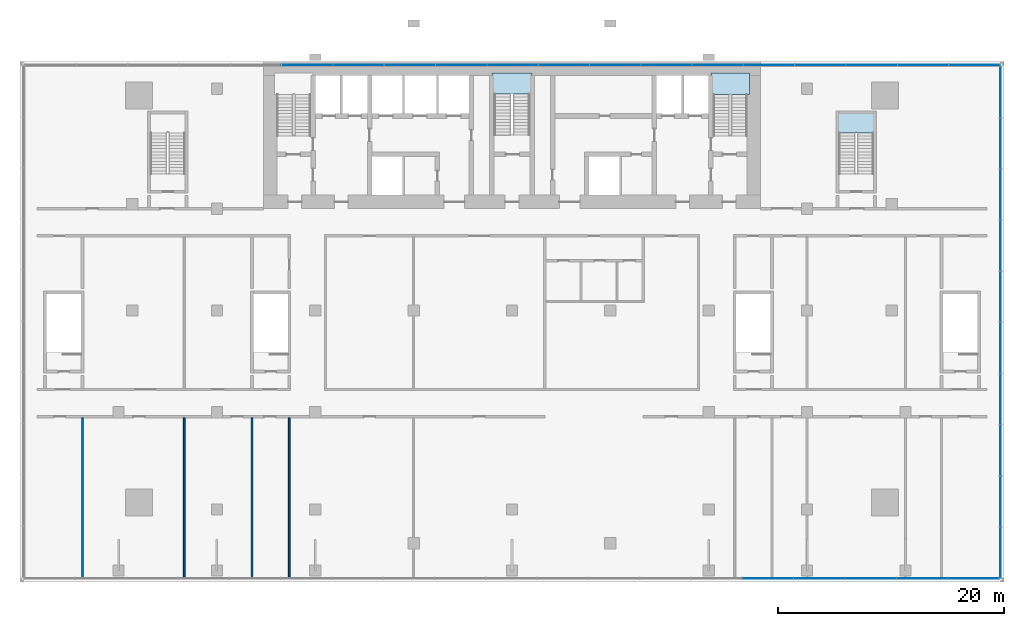
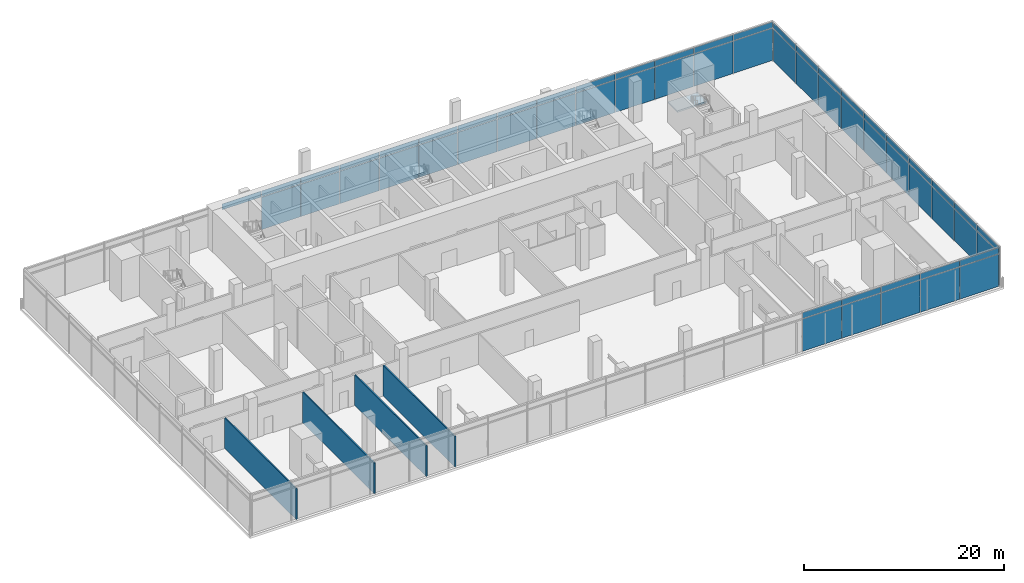
# One storey, part 10 of 17: 57 plates, 4 walls, 3 slabs, 6 elements without a shape of their own.
"""IFC4 building model written with IfcOpenShell, lengths in metres."""

from ifc_helpers import new_model, si_unit, direction, frame, frame_2d, origin, origin_2d, place, context, subcontext, project, spatial, polyline, rectangle, outline, extrude, material, layer, layer_set, type_object, element, aggregate, save


model = new_model("IFC4")

# Units and contexts
model_context = context("Model", 3, precision=1e-05, world=origin(), true_north=direction((0.0, 1.0)))
body_context = subcontext(model_context, "Body", "Model", "MODEL_VIEW")
ifc_project = project(units=[si_unit("LENGTHUNIT", "METRE"), si_unit("AREAUNIT", "SQUARE_METRE"), si_unit("VOLUMEUNIT", "CUBIC_METRE"), si_unit("PLANEANGLEUNIT", "RADIAN"), si_unit("MASSUNIT", "GRAM", prefix="KILO")], contexts=[model_context])

# Site, building, storey
site_placement = place(None, origin())
site = spatial("IfcSite", under=ifc_project, at=site_placement, CompositionType="ELEMENT")
building_placement = place(site_placement, origin())
building = spatial("IfcBuilding", under=site, at=building_placement, Name="Bicima Exchange Tower", CompositionType="ELEMENT")
storey_placement = place(building_placement, frame((0.0, 0.0, 30.0)))
storey = spatial("IfcBuildingStorey", under=building, at=storey_placement, Name="L05", CompositionType="ELEMENT", Elevation=30.0)

# Curtain wall, plates
ifc_material_1 = material(Name="Anodised bronze aluminium", Category="aluminium")
curtain_wall_type = type_object("IfcCurtainWallType", Name="Lobby glazing", PredefinedType="NOTDEFINED", material=ifc_material_1)
curtain_wall_1_placement = place(storey_placement, origin())
curtain_wall_1 = element("IfcCurtainWall", 1, at=curtain_wall_1_placement, inside=storey, type_object=curtain_wall_type, Name="Podium glazing L05 south 1", PredefinedType="NOTDEFINED")
ifc_material_2 = material(Name="Clear low-iron glass", Category="glass")
ifc_layer_1 = layer(ifc_material_2, 0.035888671875)
ifc_layer_set_1 = layer_set([ifc_layer_1], Name="Clear low-iron glass")
plate_type = type_object("IfcPlateType", Name="Lobby glazing glass panel 36", PredefinedType="CURTAIN_PANEL", material=ifc_layer_set_1)
plate_1_placement = place(storey_placement, frame((22.644775390625, -45.699951171875, 0.0), z_axis=(0.0, 0.0, 1.0), x_axis=(1.0, 0.0, 0.0)))
plate_1 = element("IfcPlate", 2, at=plate_1_placement, type_object=plate_type, Name="Lobby glazing panel 15.1", PredefinedType="CURTAIN_PANEL", context=body_context, shape_type="SweptSolid", body=[
    extrude(rectangle(XDim=4.47900390625, YDim=0.035888671875, at=origin_2d()), origin(), (0.0, 0.0, 1.0), 3.929931640625),
])
plate_2_placement = place(storey_placement, frame((22.644775390625, -45.699951171875, 4.0), z_axis=(0.0, 0.0, 1.0), x_axis=(1.0, 0.0, 0.0)))
plate_2 = element("IfcPlate", 3, at=plate_2_placement, type_object=plate_type, Name="Lobby glazing panel 15.2", PredefinedType="CURTAIN_PANEL", context=body_context, shape_type="SweptSolid", body=[
    extrude(rectangle(XDim=4.47900390625, YDim=0.035888671875, at=origin_2d()), origin(), (0.0, 0.0, 1.0), 0.7099609375),
])
plate_3_placement = place(storey_placement, frame((27.18359375, -45.699951171875, 0.0), z_axis=(0.0, 0.0, 1.0), x_axis=(1.0, 0.0, 0.0)))
plate_3 = element("IfcPlate", 4, at=plate_3_placement, type_object=plate_type, Name="Lobby glazing panel 16.1", PredefinedType="CURTAIN_PANEL", context=body_context, shape_type="SweptSolid", body=[
    extrude(rectangle(XDim=4.47900390625, YDim=0.035888671875, at=origin_2d()), origin(), (0.0, 0.0, 1.0), 3.929931640625),
])
plate_4_placement = place(storey_placement, frame((27.18359375, -45.699951171875, 4.0), z_axis=(0.0, 0.0, 1.0), x_axis=(1.0, 0.0, 0.0)))
plate_4 = element("IfcPlate", 5, at=plate_4_placement, type_object=plate_type, Name="Lobby glazing panel 16.2", PredefinedType="CURTAIN_PANEL", context=body_context, shape_type="SweptSolid", body=[
    extrude(rectangle(XDim=4.47900390625, YDim=0.035888671875, at=origin_2d()), origin(), (0.0, 0.0, 1.0), 0.7099609375),
])
plate_5_placement = place(storey_placement, frame((31.72265625, -45.699951171875, 0.0), z_axis=(0.0, 0.0, 1.0), x_axis=(1.0, 0.0, 0.0)))
plate_5 = element("IfcPlate", 6, at=plate_5_placement, type_object=plate_type, Name="Lobby glazing panel 17.1", PredefinedType="CURTAIN_PANEL", context=body_context, shape_type="SweptSolid", body=[
    extrude(rectangle(XDim=4.47900390625, YDim=0.035888671875, at=origin_2d()), origin(), (0.0, 0.0, 1.0), 3.929931640625),
])
plate_6_placement = place(storey_placement, frame((31.72265625, -45.699951171875, 4.0), z_axis=(0.0, 0.0, 1.0), x_axis=(1.0, 0.0, 0.0)))
plate_6 = element("IfcPlate", 7, at=plate_6_placement, type_object=plate_type, Name="Lobby glazing panel 17.2", PredefinedType="CURTAIN_PANEL", context=body_context, shape_type="SweptSolid", body=[
    extrude(rectangle(XDim=4.47900390625, YDim=0.035888671875, at=origin_2d()), origin(), (0.0, 0.0, 1.0), 0.7099609375),
])
plate_7_placement = place(storey_placement, frame((36.26171875, -45.699951171875, 0.0), z_axis=(0.0, 0.0, 1.0), x_axis=(1.0, 0.0, 0.0)))
plate_7 = element("IfcPlate", 8, at=plate_7_placement, type_object=plate_type, Name="Lobby glazing panel 18.1", PredefinedType="CURTAIN_PANEL", context=body_context, shape_type="SweptSolid", body=[
    extrude(rectangle(XDim=4.47900390625, YDim=0.035888671875, at=origin_2d()), origin(), (0.0, 0.0, 1.0), 3.929931640625),
])
plate_8_placement = place(storey_placement, frame((36.26171875, -45.699951171875, 4.0), z_axis=(0.0, 0.0, 1.0), x_axis=(1.0, 0.0, 0.0)))
plate_8 = element("IfcPlate", 9, at=plate_8_placement, type_object=plate_type, Name="Lobby glazing panel 18.2", PredefinedType="CURTAIN_PANEL", context=body_context, shape_type="SweptSolid", body=[
    extrude(rectangle(XDim=4.47900390625, YDim=0.035888671875, at=origin_2d()), origin(), (0.0, 0.0, 1.0), 0.7099609375),
])
plate_9_placement = place(storey_placement, frame((40.800537109375, -45.699951171875, 0.0), z_axis=(0.0, 0.0, 1.0), x_axis=(1.0, 0.0, 0.0)))
plate_9 = element("IfcPlate", 10, at=plate_9_placement, type_object=plate_type, Name="Lobby glazing panel 19.1", PredefinedType="CURTAIN_PANEL", context=body_context, shape_type="SweptSolid", body=[
    extrude(rectangle(XDim=4.47900390625, YDim=0.035888671875, at=origin_2d()), origin(), (0.0, 0.0, 1.0), 3.929931640625),
])
plate_10_placement = place(storey_placement, frame((40.800537109375, -45.699951171875, 4.0), z_axis=(0.0, 0.0, 1.0), x_axis=(1.0, 0.0, 0.0)))
plate_10 = element("IfcPlate", 11, at=plate_10_placement, type_object=plate_type, Name="Lobby glazing panel 19.2", PredefinedType="CURTAIN_PANEL", context=body_context, shape_type="SweptSolid", body=[
    extrude(rectangle(XDim=4.47900390625, YDim=0.035888671875, at=origin_2d()), origin(), (0.0, 0.0, 1.0), 0.7099609375),
])
aggregate(curtain_wall_1, [plate_1, plate_2, plate_3, plate_4, plate_5, plate_6, plate_7, plate_8, plate_9, plate_10])

curtain_wall_2_placement = place(storey_placement, origin())
curtain_wall_2 = element("IfcCurtainWall", 12, at=curtain_wall_2_placement, inside=storey, type_object=curtain_wall_type, Name="Podium glazing L05 east 1", PredefinedType="NOTDEFINED")
plate_11_placement = place(storey_placement, frame((43.199951171875, -43.407958984375, 0.0), z_axis=(0.0, 0.0, 1.0), x_axis=(0.0, 1.0, 0.0)))
plate_11 = element("IfcPlate", 13, at=plate_11_placement, type_object=plate_type, Name="Lobby glazing panel 1.1", PredefinedType="CURTAIN_PANEL", context=body_context, shape_type="SweptSolid", body=[
    extrude(rectangle(XDim=4.464111328125, YDim=0.035888671875, at=origin_2d()), origin(), (0.0, 0.0, 1.0), 3.929931640625),
])
plate_12_placement = place(storey_placement, frame((43.199951171875, -43.407958984375, 4.0), z_axis=(0.0, 0.0, 1.0), x_axis=(0.0, 1.0, 0.0)))
plate_12 = element("IfcPlate", 14, at=plate_12_placement, type_object=plate_type, Name="Lobby glazing panel 1.2", PredefinedType="CURTAIN_PANEL", context=body_context, shape_type="SweptSolid", body=[
    extrude(rectangle(XDim=4.464111328125, YDim=0.035888671875, at=origin_2d()), origin(), (0.0, 0.0, 1.0), 0.7099609375),
])
plate_13_placement = place(storey_placement, frame((43.199951171875, -38.884033203125, 0.0), z_axis=(0.0, 0.0, 1.0), x_axis=(0.0, 1.0, 0.0)))
plate_13 = element("IfcPlate", 15, at=plate_13_placement, type_object=plate_type, Name="Lobby glazing panel 2.1", PredefinedType="CURTAIN_PANEL", context=body_context, shape_type="SweptSolid", body=[
    extrude(rectangle(XDim=4.464111328125, YDim=0.035888671875, at=origin_2d()), origin(), (0.0, 0.0, 1.0), 3.929931640625),
])
plate_14_placement = place(storey_placement, frame((43.199951171875, -38.884033203125, 4.0), z_axis=(0.0, 0.0, 1.0), x_axis=(0.0, 1.0, 0.0)))
plate_14 = element("IfcPlate", 16, at=plate_14_placement, type_object=plate_type, Name="Lobby glazing panel 2.2", PredefinedType="CURTAIN_PANEL", context=body_context, shape_type="SweptSolid", body=[
    extrude(rectangle(XDim=4.464111328125, YDim=0.035888671875, at=origin_2d()), origin(), (0.0, 0.0, 1.0), 0.7099609375),
])
plate_15_placement = place(storey_placement, frame((43.199951171875, -34.360107421875, 0.0), z_axis=(0.0, 0.0, 1.0), x_axis=(0.0, 1.0, 0.0)))
plate_15 = element("IfcPlate", 17, at=plate_15_placement, type_object=plate_type, Name="Lobby glazing panel 3.1", PredefinedType="CURTAIN_PANEL", context=body_context, shape_type="SweptSolid", body=[
    extrude(rectangle(XDim=4.464111328125, YDim=0.035888671875, at=origin_2d()), origin(), (0.0, 0.0, 1.0), 3.929931640625),
])
plate_16_placement = place(storey_placement, frame((43.199951171875, -34.360107421875, 4.0), z_axis=(0.0, 0.0, 1.0), x_axis=(0.0, 1.0, 0.0)))
plate_16 = element("IfcPlate", 18, at=plate_16_placement, type_object=plate_type, Name="Lobby glazing panel 3.2", PredefinedType="CURTAIN_PANEL", context=body_context, shape_type="SweptSolid", body=[
    extrude(rectangle(XDim=4.464111328125, YDim=0.035888671875, at=origin_2d()), origin(), (0.0, 0.0, 1.0), 0.7099609375),
])
plate_17_placement = place(storey_placement, frame((43.199951171875, -29.8359375, 0.0), z_axis=(0.0, 0.0, 1.0), x_axis=(0.0, 1.0, 0.0)))
plate_17 = element("IfcPlate", 19, at=plate_17_placement, type_object=plate_type, Name="Lobby glazing panel 4.1", PredefinedType="CURTAIN_PANEL", context=body_context, shape_type="SweptSolid", body=[
    extrude(rectangle(XDim=4.464111328125, YDim=0.035888671875, at=origin_2d()), origin(), (0.0, 0.0, 1.0), 3.929931640625),
])
plate_18_placement = place(storey_placement, frame((43.199951171875, -29.8359375, 4.0), z_axis=(0.0, 0.0, 1.0), x_axis=(0.0, 1.0, 0.0)))
plate_18 = element("IfcPlate", 20, at=plate_18_placement, type_object=plate_type, Name="Lobby glazing panel 4.2", PredefinedType="CURTAIN_PANEL", context=body_context, shape_type="SweptSolid", body=[
    extrude(rectangle(XDim=4.464111328125, YDim=0.035888671875, at=origin_2d()), origin(), (0.0, 0.0, 1.0), 0.7099609375),
])
plate_19_placement = place(storey_placement, frame((43.199951171875, -25.31201171875, 0.0), z_axis=(0.0, 0.0, 1.0), x_axis=(0.0, 1.0, 0.0)))
plate_19 = element("IfcPlate", 21, at=plate_19_placement, type_object=plate_type, Name="Lobby glazing panel 5.1", PredefinedType="CURTAIN_PANEL", context=body_context, shape_type="SweptSolid", body=[
    extrude(rectangle(XDim=4.464111328125, YDim=0.035888671875, at=origin_2d()), origin(), (0.0, 0.0, 1.0), 3.929931640625),
])
plate_20_placement = place(storey_placement, frame((43.199951171875, -25.31201171875, 4.0), z_axis=(0.0, 0.0, 1.0), x_axis=(0.0, 1.0, 0.0)))
plate_20 = element("IfcPlate", 22, at=plate_20_placement, type_object=plate_type, Name="Lobby glazing panel 5.2", PredefinedType="CURTAIN_PANEL", context=body_context, shape_type="SweptSolid", body=[
    extrude(rectangle(XDim=4.464111328125, YDim=0.035888671875, at=origin_2d()), origin(), (0.0, 0.0, 1.0), 0.7099609375),
])
plate_21_placement = place(storey_placement, frame((43.199951171875, -20.7880859375, 0.0), z_axis=(0.0, 0.0, 1.0), x_axis=(0.0, 1.0, 0.0)))
plate_21 = element("IfcPlate", 23, at=plate_21_placement, type_object=plate_type, Name="Lobby glazing panel 6.1", PredefinedType="CURTAIN_PANEL", context=body_context, shape_type="SweptSolid", body=[
    extrude(rectangle(XDim=4.464111328125, YDim=0.035888671875, at=origin_2d()), origin(), (0.0, 0.0, 1.0), 3.929931640625),
])
plate_22_placement = place(storey_placement, frame((43.199951171875, -20.7880859375, 4.0), z_axis=(0.0, 0.0, 1.0), x_axis=(0.0, 1.0, 0.0)))
plate_22 = element("IfcPlate", 24, at=plate_22_placement, type_object=plate_type, Name="Lobby glazing panel 6.2", PredefinedType="CURTAIN_PANEL", context=body_context, shape_type="SweptSolid", body=[
    extrude(rectangle(XDim=4.464111328125, YDim=0.035888671875, at=origin_2d()), origin(), (0.0, 0.0, 1.0), 0.7099609375),
])
plate_23_placement = place(storey_placement, frame((43.199951171875, -16.263916015625, 0.0), z_axis=(0.0, 0.0, 1.0), x_axis=(0.0, 1.0, 0.0)))
plate_23 = element("IfcPlate", 25, at=plate_23_placement, type_object=plate_type, Name="Lobby glazing panel 7.1", PredefinedType="CURTAIN_PANEL", context=body_context, shape_type="SweptSolid", body=[
    extrude(rectangle(XDim=4.464111328125, YDim=0.035888671875, at=origin_2d()), origin(), (0.0, 0.0, 1.0), 3.929931640625),
])
plate_24_placement = place(storey_placement, frame((43.199951171875, -16.263916015625, 4.0), z_axis=(0.0, 0.0, 1.0), x_axis=(0.0, 1.0, 0.0)))
plate_24 = element("IfcPlate", 26, at=plate_24_placement, type_object=plate_type, Name="Lobby glazing panel 7.2", PredefinedType="CURTAIN_PANEL", context=body_context, shape_type="SweptSolid", body=[
    extrude(rectangle(XDim=4.464111328125, YDim=0.035888671875, at=origin_2d()), origin(), (0.0, 0.0, 1.0), 0.7099609375),
])
plate_25_placement = place(storey_placement, frame((43.199951171875, -11.739990234375, 0.0), z_axis=(0.0, 0.0, 1.0), x_axis=(0.0, 1.0, 0.0)))
plate_25 = element("IfcPlate", 27, at=plate_25_placement, type_object=plate_type, Name="Lobby glazing panel 8.1", PredefinedType="CURTAIN_PANEL", context=body_context, shape_type="SweptSolid", body=[
    extrude(rectangle(XDim=4.464111328125, YDim=0.035888671875, at=origin_2d()), origin(), (0.0, 0.0, 1.0), 3.929931640625),
])
plate_26_placement = place(storey_placement, frame((43.199951171875, -11.739990234375, 4.0), z_axis=(0.0, 0.0, 1.0), x_axis=(0.0, 1.0, 0.0)))
plate_26 = element("IfcPlate", 28, at=plate_26_placement, type_object=plate_type, Name="Lobby glazing panel 8.2", PredefinedType="CURTAIN_PANEL", context=body_context, shape_type="SweptSolid", body=[
    extrude(rectangle(XDim=4.464111328125, YDim=0.035888671875, at=origin_2d()), origin(), (0.0, 0.0, 1.0), 0.7099609375),
])
plate_27_placement = place(storey_placement, frame((43.199951171875, -7.216064453125, 0.0), z_axis=(0.0, 0.0, 1.0), x_axis=(0.0, 1.0, 0.0)))
plate_27 = element("IfcPlate", 29, at=plate_27_placement, type_object=plate_type, Name="Lobby glazing panel 9.1", PredefinedType="CURTAIN_PANEL", context=body_context, shape_type="SweptSolid", body=[
    extrude(rectangle(XDim=4.464111328125, YDim=0.035888671875, at=origin_2d()), origin(), (0.0, 0.0, 1.0), 3.929931640625),
])
plate_28_placement = place(storey_placement, frame((43.199951171875, -7.216064453125, 4.0), z_axis=(0.0, 0.0, 1.0), x_axis=(0.0, 1.0, 0.0)))
plate_28 = element("IfcPlate", 30, at=plate_28_placement, type_object=plate_type, Name="Lobby glazing panel 9.2", PredefinedType="CURTAIN_PANEL", context=body_context, shape_type="SweptSolid", body=[
    extrude(rectangle(XDim=4.464111328125, YDim=0.035888671875, at=origin_2d()), origin(), (0.0, 0.0, 1.0), 0.7099609375),
])
plate_29_placement = place(storey_placement, frame((43.199951171875, -2.69189453125, 0.0), z_axis=(0.0, 0.0, 1.0), x_axis=(0.0, 1.0, 0.0)))
plate_29 = element("IfcPlate", 31, at=plate_29_placement, type_object=plate_type, Name="Lobby glazing panel 10.1", PredefinedType="CURTAIN_PANEL", context=body_context, shape_type="SweptSolid", body=[
    extrude(rectangle(XDim=4.464111328125, YDim=0.035888671875, at=origin_2d()), origin(), (0.0, 0.0, 1.0), 3.929931640625),
])
plate_30_placement = place(storey_placement, frame((43.199951171875, -2.69189453125, 4.0), z_axis=(0.0, 0.0, 1.0), x_axis=(0.0, 1.0, 0.0)))
plate_30 = element("IfcPlate", 32, at=plate_30_placement, type_object=plate_type, Name="Lobby glazing panel 10.2", PredefinedType="CURTAIN_PANEL", context=body_context, shape_type="SweptSolid", body=[
    extrude(rectangle(XDim=4.464111328125, YDim=0.035888671875, at=origin_2d()), origin(), (0.0, 0.0, 1.0), 0.7099609375),
])
aggregate(curtain_wall_2, [plate_11, plate_12, plate_13, plate_14, plate_15, plate_16, plate_17, plate_18, plate_19, plate_20, plate_21, plate_22, plate_23, plate_24, plate_25, plate_26, plate_27, plate_28, plate_29, plate_30])

curtain_wall_3_placement = place(storey_placement, origin())
curtain_wall_3 = element("IfcCurtainWall", 33, at=curtain_wall_3_placement, inside=storey, type_object=curtain_wall_type, Name="Podium glazing L05 north 1", PredefinedType="NOTDEFINED")
plate_31_placement = place(storey_placement, frame((40.900390625, -0.300048828125, 0.0), z_axis=(0.0, 0.0, 1.0), x_axis=(-1.0, 0.0, 0.0)))
plate_31 = element("IfcPlate", 34, at=plate_31_placement, type_object=plate_type, Name="Lobby glazing panel 1.1", PredefinedType="CURTAIN_PANEL", context=body_context, shape_type="SweptSolid", body=[
    extrude(rectangle(XDim=4.47900390625, YDim=0.035888671875, at=origin_2d()), origin(), (0.0, 0.0, 1.0), 3.929931640625),
])
plate_32_placement = place(storey_placement, frame((40.900390625, -0.300048828125, 4.0), z_axis=(0.0, 0.0, 1.0), x_axis=(-1.0, 0.0, 0.0)))
plate_32 = element("IfcPlate", 35, at=plate_32_placement, type_object=plate_type, Name="Lobby glazing panel 1.2", PredefinedType="CURTAIN_PANEL", context=body_context, shape_type="SweptSolid", body=[
    extrude(rectangle(XDim=4.47900390625, YDim=0.035888671875, at=origin_2d()), origin(), (0.0, 0.0, 1.0), 0.7099609375),
])
plate_33_placement = place(storey_placement, frame((36.361572265625, -0.300048828125, 0.0), z_axis=(0.0, 0.0, 1.0), x_axis=(-1.0, 0.0, 0.0)))
plate_33 = element("IfcPlate", 36, at=plate_33_placement, type_object=plate_type, Name="Lobby glazing panel 2.1", PredefinedType="CURTAIN_PANEL", context=body_context, shape_type="SweptSolid", body=[
    extrude(rectangle(XDim=4.47900390625, YDim=0.035888671875, at=origin_2d()), origin(), (0.0, 0.0, 1.0), 3.929931640625),
])
plate_34_placement = place(storey_placement, frame((36.361572265625, -0.300048828125, 4.0), z_axis=(0.0, 0.0, 1.0), x_axis=(-1.0, 0.0, 0.0)))
plate_34 = element("IfcPlate", 37, at=plate_34_placement, type_object=plate_type, Name="Lobby glazing panel 2.2", PredefinedType="CURTAIN_PANEL", context=body_context, shape_type="SweptSolid", body=[
    extrude(rectangle(XDim=4.47900390625, YDim=0.035888671875, at=origin_2d()), origin(), (0.0, 0.0, 1.0), 0.7099609375),
])
plate_35_placement = place(storey_placement, frame((31.822509765625, -0.300048828125, 0.0), z_axis=(0.0, 0.0, 1.0), x_axis=(-1.0, 0.0, 0.0)))
plate_35 = element("IfcPlate", 38, at=plate_35_placement, type_object=plate_type, Name="Lobby glazing panel 3.1", PredefinedType="CURTAIN_PANEL", context=body_context, shape_type="SweptSolid", body=[
    extrude(rectangle(XDim=4.47900390625, YDim=0.035888671875, at=origin_2d()), origin(), (0.0, 0.0, 1.0), 3.929931640625),
])
plate_36_placement = place(storey_placement, frame((31.822509765625, -0.300048828125, 4.0), z_axis=(0.0, 0.0, 1.0), x_axis=(-1.0, 0.0, 0.0)))
plate_36 = element("IfcPlate", 39, at=plate_36_placement, type_object=plate_type, Name="Lobby glazing panel 3.2", PredefinedType="CURTAIN_PANEL", context=body_context, shape_type="SweptSolid", body=[
    extrude(rectangle(XDim=4.47900390625, YDim=0.035888671875, at=origin_2d()), origin(), (0.0, 0.0, 1.0), 0.7099609375),
])
plate_37_placement = place(storey_placement, frame((27.28369140625, -0.300048828125, 0.0), z_axis=(0.0, 0.0, 1.0), x_axis=(-1.0, 0.0, 0.0)))
plate_37 = element("IfcPlate", 40, at=plate_37_placement, type_object=plate_type, Name="Lobby glazing panel 4.1", PredefinedType="CURTAIN_PANEL", context=body_context, shape_type="SweptSolid", body=[
    extrude(rectangle(XDim=4.47900390625, YDim=0.035888671875, at=origin_2d()), origin(), (0.0, 0.0, 1.0), 3.929931640625),
])
plate_38_placement = place(storey_placement, frame((27.28369140625, -0.300048828125, 4.0), z_axis=(0.0, 0.0, 1.0), x_axis=(-1.0, 0.0, 0.0)))
plate_38 = element("IfcPlate", 41, at=plate_38_placement, type_object=plate_type, Name="Lobby glazing panel 4.2", PredefinedType="CURTAIN_PANEL", context=body_context, shape_type="SweptSolid", body=[
    extrude(rectangle(XDim=4.47900390625, YDim=0.035888671875, at=origin_2d()), origin(), (0.0, 0.0, 1.0), 0.7099609375),
])
plate_39_placement = place(storey_placement, frame((22.74462890625, -0.300048828125, 0.0), z_axis=(0.0, 0.0, 1.0), x_axis=(-1.0, 0.0, 0.0)))
plate_39 = element("IfcPlate", 42, at=plate_39_placement, type_object=plate_type, Name="Lobby glazing panel 5.1", PredefinedType="CURTAIN_PANEL", context=body_context, shape_type="SweptSolid", body=[
    extrude(rectangle(XDim=4.47900390625, YDim=0.035888671875, at=origin_2d()), origin(), (0.0, 0.0, 1.0), 3.929931640625),
])
plate_40_placement = place(storey_placement, frame((22.74462890625, -0.300048828125, 4.0), z_axis=(0.0, 0.0, 1.0), x_axis=(-1.0, 0.0, 0.0)))
plate_40 = element("IfcPlate", 43, at=plate_40_placement, type_object=plate_type, Name="Lobby glazing panel 5.2", PredefinedType="CURTAIN_PANEL", context=body_context, shape_type="SweptSolid", body=[
    extrude(rectangle(XDim=4.47900390625, YDim=0.035888671875, at=origin_2d()), origin(), (0.0, 0.0, 1.0), 0.7099609375),
])
plate_41_placement = place(storey_placement, frame((18.205810546875, -0.300048828125, 0.0), z_axis=(0.0, 0.0, 1.0), x_axis=(-1.0, 0.0, 0.0)))
plate_41 = element("IfcPlate", 44, at=plate_41_placement, type_object=plate_type, Name="Lobby glazing panel 6.1", PredefinedType="CURTAIN_PANEL", context=body_context, shape_type="SweptSolid", body=[
    extrude(rectangle(XDim=4.47900390625, YDim=0.035888671875, at=origin_2d()), origin(), (0.0, 0.0, 1.0), 3.929931640625),
])
plate_42_placement = place(storey_placement, frame((18.205810546875, -0.300048828125, 4.0), z_axis=(0.0, 0.0, 1.0), x_axis=(-1.0, 0.0, 0.0)))
plate_42 = element("IfcPlate", 45, at=plate_42_placement, type_object=plate_type, Name="Lobby glazing panel 6.2", PredefinedType="CURTAIN_PANEL", context=body_context, shape_type="SweptSolid", body=[
    extrude(rectangle(XDim=4.47900390625, YDim=0.035888671875, at=origin_2d()), origin(), (0.0, 0.0, 1.0), 0.7099609375),
])
plate_43_placement = place(storey_placement, frame((13.666748046875, -0.300048828125, 0.0), z_axis=(0.0, 0.0, 1.0), x_axis=(-1.0, 0.0, 0.0)))
plate_43 = element("IfcPlate", 46, at=plate_43_placement, type_object=plate_type, Name="Lobby glazing panel 7.1", PredefinedType="CURTAIN_PANEL", context=body_context, shape_type="SweptSolid", body=[
    extrude(rectangle(XDim=4.47900390625, YDim=0.035888671875, at=origin_2d()), origin(), (0.0, 0.0, 1.0), 3.929931640625),
])
plate_44_placement = place(storey_placement, frame((13.666748046875, -0.300048828125, 4.0), z_axis=(0.0, 0.0, 1.0), x_axis=(-1.0, 0.0, 0.0)))
plate_44 = element("IfcPlate", 47, at=plate_44_placement, type_object=plate_type, Name="Lobby glazing panel 7.2", PredefinedType="CURTAIN_PANEL", context=body_context, shape_type="SweptSolid", body=[
    extrude(rectangle(XDim=4.47900390625, YDim=0.035888671875, at=origin_2d()), origin(), (0.0, 0.0, 1.0), 0.7099609375),
])
plate_45_placement = place(storey_placement, frame((9.1279296875, -0.300048828125, 0.0), z_axis=(0.0, 0.0, 1.0), x_axis=(-1.0, 0.0, 0.0)))
plate_45 = element("IfcPlate", 48, at=plate_45_placement, type_object=plate_type, Name="Lobby glazing panel 8.1", PredefinedType="CURTAIN_PANEL", context=body_context, shape_type="SweptSolid", body=[
    extrude(rectangle(XDim=4.47900390625, YDim=0.035888671875, at=origin_2d()), origin(), (0.0, 0.0, 1.0), 3.929931640625),
])
plate_46_placement = place(storey_placement, frame((9.1279296875, -0.300048828125, 4.0), z_axis=(0.0, 0.0, 1.0), x_axis=(-1.0, 0.0, 0.0)))
plate_46 = element("IfcPlate", 49, at=plate_46_placement, type_object=plate_type, Name="Lobby glazing panel 8.2", PredefinedType="CURTAIN_PANEL", context=body_context, shape_type="SweptSolid", body=[
    extrude(rectangle(XDim=4.47900390625, YDim=0.035888671875, at=origin_2d()), origin(), (0.0, 0.0, 1.0), 0.7099609375),
])
plate_47_placement = place(storey_placement, frame((4.5888671875, -0.300048828125, 0.0), z_axis=(0.0, 0.0, 1.0), x_axis=(-1.0, 0.0, 0.0)))
plate_47 = element("IfcPlate", 50, at=plate_47_placement, type_object=plate_type, Name="Lobby glazing panel 9.1", PredefinedType="CURTAIN_PANEL", context=body_context, shape_type="SweptSolid", body=[
    extrude(rectangle(XDim=4.47900390625, YDim=0.035888671875, at=origin_2d()), origin(), (0.0, 0.0, 1.0), 3.929931640625),
])
plate_48_placement = place(storey_placement, frame((4.5888671875, -0.300048828125, 4.0), z_axis=(0.0, 0.0, 1.0), x_axis=(-1.0, 0.0, 0.0)))
plate_48 = element("IfcPlate", 51, at=plate_48_placement, type_object=plate_type, Name="Lobby glazing panel 9.2", PredefinedType="CURTAIN_PANEL", context=body_context, shape_type="SweptSolid", body=[
    extrude(rectangle(XDim=4.47900390625, YDim=0.035888671875, at=origin_2d()), origin(), (0.0, 0.0, 1.0), 0.7099609375),
])
plate_49_placement = place(storey_placement, frame((0.050048828125, -0.300048828125, 0.0), z_axis=(0.0, 0.0, 1.0), x_axis=(-1.0, 0.0, 0.0)))
plate_49 = element("IfcPlate", 52, at=plate_49_placement, type_object=plate_type, Name="Lobby glazing panel 10.1", PredefinedType="CURTAIN_PANEL", context=body_context, shape_type="SweptSolid", body=[
    extrude(rectangle(XDim=4.47900390625, YDim=0.035888671875, at=origin_2d()), origin(), (0.0, 0.0, 1.0), 3.929931640625),
])
plate_50_placement = place(storey_placement, frame((0.050048828125, -0.300048828125, 4.0), z_axis=(0.0, 0.0, 1.0), x_axis=(-1.0, 0.0, 0.0)))
plate_50 = element("IfcPlate", 53, at=plate_50_placement, type_object=plate_type, Name="Lobby glazing panel 10.2", PredefinedType="CURTAIN_PANEL", context=body_context, shape_type="SweptSolid", body=[
    extrude(rectangle(XDim=4.47900390625, YDim=0.035888671875, at=origin_2d()), origin(), (0.0, 0.0, 1.0), 0.7099609375),
])
plate_51_placement = place(storey_placement, frame((-4.489013671875, -0.300048828125, 0.0), z_axis=(0.0, 0.0, 1.0), x_axis=(-1.0, 0.0, 0.0)))
plate_51 = element("IfcPlate", 54, at=plate_51_placement, type_object=plate_type, Name="Lobby glazing panel 11.1", PredefinedType="CURTAIN_PANEL", context=body_context, shape_type="SweptSolid", body=[
    extrude(rectangle(XDim=4.47900390625, YDim=0.035888671875, at=origin_2d()), origin(), (0.0, 0.0, 1.0), 3.929931640625),
])
plate_52_placement = place(storey_placement, frame((-4.489013671875, -0.300048828125, 4.0), z_axis=(0.0, 0.0, 1.0), x_axis=(-1.0, 0.0, 0.0)))
plate_52 = element("IfcPlate", 55, at=plate_52_placement, type_object=plate_type, Name="Lobby glazing panel 11.2", PredefinedType="CURTAIN_PANEL", context=body_context, shape_type="SweptSolid", body=[
    extrude(rectangle(XDim=4.47900390625, YDim=0.035888671875, at=origin_2d()), origin(), (0.0, 0.0, 1.0), 0.7099609375),
])
plate_53_placement = place(storey_placement, frame((-9.02783203125, -0.300048828125, 0.0), z_axis=(0.0, 0.0, 1.0), x_axis=(-1.0, 0.0, 0.0)))
plate_53 = element("IfcPlate", 56, at=plate_53_placement, type_object=plate_type, Name="Lobby glazing panel 12.1", PredefinedType="CURTAIN_PANEL", context=body_context, shape_type="SweptSolid", body=[
    extrude(rectangle(XDim=4.47900390625, YDim=0.035888671875, at=origin_2d()), origin(), (0.0, 0.0, 1.0), 3.929931640625),
])
plate_54_placement = place(storey_placement, frame((-9.02783203125, -0.300048828125, 4.0), z_axis=(0.0, 0.0, 1.0), x_axis=(-1.0, 0.0, 0.0)))
plate_54 = element("IfcPlate", 57, at=plate_54_placement, type_object=plate_type, Name="Lobby glazing panel 12.2", PredefinedType="CURTAIN_PANEL", context=body_context, shape_type="SweptSolid", body=[
    extrude(rectangle(XDim=4.47900390625, YDim=0.035888671875, at=origin_2d()), origin(), (0.0, 0.0, 1.0), 0.7099609375),
])
plate_55_placement = place(storey_placement, frame((-13.56689453125, -0.300048828125, 0.0), z_axis=(0.0, 0.0, 1.0), x_axis=(-1.0, 0.0, 0.0)))
plate_55 = element("IfcPlate", 58, at=plate_55_placement, type_object=plate_type, Name="Lobby glazing panel 13.1", PredefinedType="CURTAIN_PANEL", context=body_context, shape_type="SweptSolid", body=[
    extrude(rectangle(XDim=4.47900390625, YDim=0.035888671875, at=origin_2d()), origin(), (0.0, 0.0, 1.0), 3.929931640625),
])
plate_56_placement = place(storey_placement, frame((-13.56689453125, -0.300048828125, 4.0), z_axis=(0.0, 0.0, 1.0), x_axis=(-1.0, 0.0, 0.0)))
plate_56 = element("IfcPlate", 59, at=plate_56_placement, type_object=plate_type, Name="Lobby glazing panel 13.2", PredefinedType="CURTAIN_PANEL", context=body_context, shape_type="SweptSolid", body=[
    extrude(rectangle(XDim=4.47900390625, YDim=0.035888671875, at=origin_2d()), origin(), (0.0, 0.0, 1.0), 0.7099609375),
])
plate_57_placement = place(storey_placement, frame((-18.105712890625, -0.300048828125, 4.0), z_axis=(0.0, 0.0, 1.0), x_axis=(-1.0, 0.0, 0.0)))
plate_57 = element("IfcPlate", 60, at=plate_57_placement, type_object=plate_type, Name="Lobby glazing panel 14.2", PredefinedType="CURTAIN_PANEL", context=body_context, shape_type="SweptSolid", body=[
    extrude(rectangle(XDim=4.47900390625, YDim=0.035888671875, at=origin_2d()), origin(), (0.0, 0.0, 1.0), 0.7099609375),
])
aggregate(curtain_wall_3, [plate_31, plate_32, plate_33, plate_34, plate_35, plate_36, plate_37, plate_38, plate_39, plate_40, plate_41, plate_42, plate_43, plate_44, plate_45, plate_46, plate_47, plate_48, plate_49, plate_50, plate_51, plate_52, plate_53, plate_54, plate_55, plate_56, plate_57])

# Stair, slab
ifc_material_3 = material(Name="Concrete C50/60", Category="concrete")
stair_type_1 = type_object("IfcStairType", Name="Exit stair 1500", PredefinedType="HALF_TURN_STAIR", material=ifc_material_3)
stair_1_placement = place(storey_placement, origin())
stair_1 = element("IfcStair", 61, at=stair_1_placement, inside=storey, type_object=stair_type_1, Name="L05 Central exit stair", PredefinedType="HALF_TURN_STAIR")
ifc_layer_2 = layer(ifc_material_3, 0.199951171875)
ifc_layer_set_2 = layer_set([ifc_layer_2], Name="Concrete C50/60")
slab_type = type_object("IfcSlabType", Name="Stair landing slab", PredefinedType="LANDING", material=ifc_layer_set_2)
slab_1_placement = place(storey_placement, frame((0.0, 0.0, 2.300048828125)))
slab_1 = element("IfcSlab", 62, at=slab_1_placement, type_object=slab_type, Name="ST-C landing 1", PredefinedType="LANDING", context=body_context, shape_type="SweptSolid", body=[
    extrude(outline(polyline([(1.77490234375, -2.860107421875), (1.77490234375, -1.0), (-1.77490234375, -1.0), (-1.77490234375, -2.860107421875), (1.77490234375, -2.860107421875)])), origin(), (0.0, 0.0, 1.0), 0.199951171875),
])
aggregate(stair_1, [slab_1])

stair_type_2 = type_object("IfcStairType", Name="Exit stair", PredefinedType="HALF_TURN_STAIR", material=ifc_material_3)
stair_2_placement = place(storey_placement, origin())
stair_2 = element("IfcStair", 63, at=stair_2_placement, inside=storey, type_object=stair_type_2, Name="L05 East exit stair", PredefinedType="HALF_TURN_STAIR")
slab_2_placement = place(storey_placement, frame((0.0, 0.0, 2.300048828125)))
slab_2 = element("IfcSlab", 64, at=slab_2_placement, type_object=slab_type, Name="ST-E landing 1", PredefinedType="LANDING", context=body_context, shape_type="SweptSolid", body=[
    extrude(outline(polyline([(21.0, -2.909912109375), (21.0, -1.0), (17.60009765625, -1.0), (17.60009765625, -2.909912109375), (21.0, -2.909912109375)])), origin(), (0.0, 0.0, 1.0), 0.199951171875),
])
aggregate(stair_2, [slab_2])

stair_3_placement = place(storey_placement, origin())
stair_3 = element("IfcStair", 65, at=stair_3_placement, inside=storey, type_object=stair_type_2, Name="L05 East end exit stair", PredefinedType="HALF_TURN_STAIR")
slab_3_placement = place(storey_placement, frame((0.0, 0.0, 2.300048828125)))
slab_3 = element("IfcSlab", 66, at=slab_3_placement, type_object=slab_type, Name="ST-EE landing 1", PredefinedType="LANDING", context=body_context, shape_type="SweptSolid", body=[
    extrude(outline(polyline([(32.175048828125, -6.284912109375), (32.175048828125, -4.425048828125), (28.72509765625, -4.425048828125), (28.72509765625, -6.284912109375), (32.175048828125, -6.284912109375)])), origin(), (0.0, 0.0, 1.0), 0.199951171875),
])
aggregate(stair_3, [slab_3])

# Walls
ifc_material_4 = material(Name="Gypsum board partition")
ifc_layer_3 = layer(ifc_material_4, 0.14990234375)
ifc_layer_set_3 = layer_set([ifc_layer_3], Name="Gypsum board partition")
wall_type = type_object("IfcWallType", Name="Gypsum partition 150", PredefinedType="PARTITIONING", material=ifc_layer_set_3)
for number, where, z_axis, x_axis, name in (
    (67, (-38.0, -45.7900390625, 0.0), (0.0, 0.0, 1.0), (0.0, 1.0, 0.0), "partition wall 28"),
    (68, (-29.0, -45.7900390625, 0.0), (0.0, 0.0, 1.0), (0.0, 1.0, 0.0), "partition wall 31"),
    (69, (-23.0, -45.7900390625, 0.0), (0.0, 0.0, 1.0), (0.0, 1.0, 0.0), "partition wall 34"),
    (70, (-19.699951171875, -45.7900390625, 0.0), (0.0, 0.0, 1.0), (0.0, 1.0, 0.0), "partition wall 36"),
):
    element("IfcWall", number, at=place(storey_placement, frame(where, z_axis=z_axis, x_axis=x_axis)), inside=storey, type_object=wall_type, Name=name, PredefinedType="PARTITIONING", context=body_context, shape_type="SweptSolid", body=[
        extrude(rectangle(XDim=14.2900390625, YDim=0.14990234375, at=frame_2d((7.14501953125, 0.0))), origin(), (0.0, 0.0, 1.0), 3.740234375),
    ])

save(model, "model.ifc")
